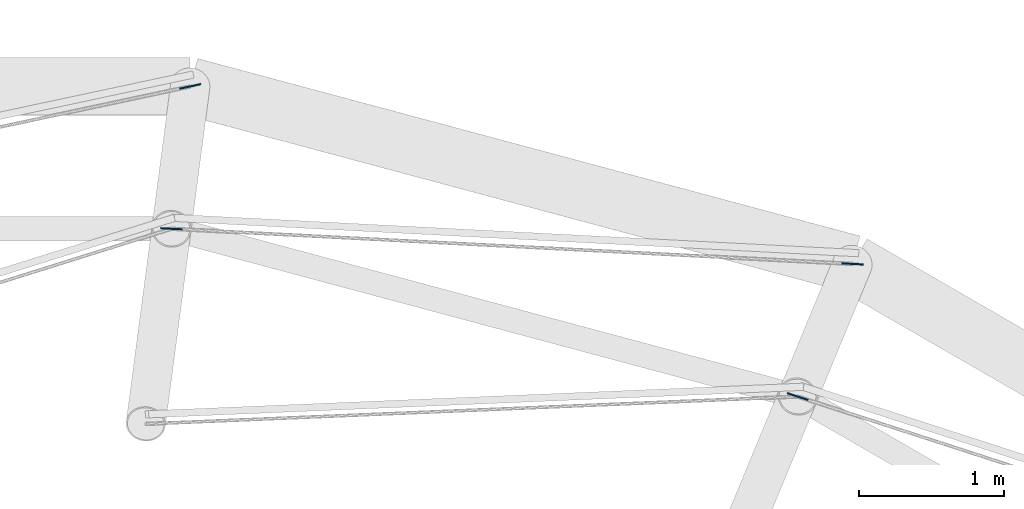
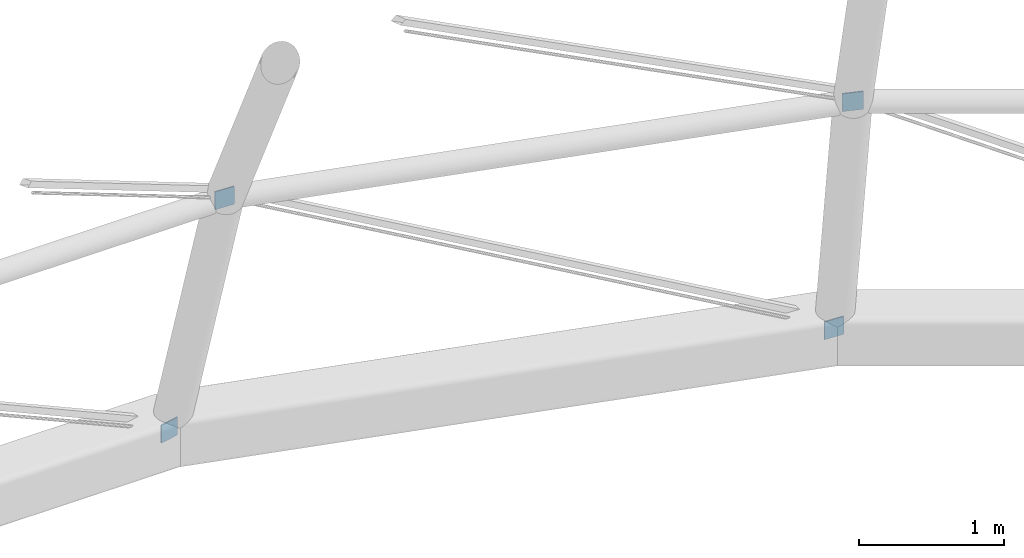
# One storey, part 39 of 59: 4 discrete accessories.
"""IFC4 building model written with IfcOpenShell, lengths in metres."""

from ifc_helpers import new_model, si_unit, direction, frame, origin, origin_2d, place, context, subcontext, project, spatial, rectangle, extrude, material, type_object, element, save


model = new_model("IFC4")

# Units and contexts
model_context = context("Model", 3, precision=1e-05, world=origin(), true_north=direction((0.0, 1.0)))
body_context = subcontext(model_context, "Body", "Model", "MODEL_VIEW")
ifc_project = project(units=[si_unit("LENGTHUNIT", "METRE"), si_unit("AREAUNIT", "SQUARE_METRE"), si_unit("VOLUMEUNIT", "CUBIC_METRE"), si_unit("PLANEANGLEUNIT", "RADIAN"), si_unit("MASSUNIT", "GRAM", prefix="KILO")], contexts=[model_context])

# Site, building, storey
site_placement = place(None, origin())
site = spatial("IfcSite", under=ifc_project, at=site_placement, CompositionType="ELEMENT")
building_placement = place(site_placement, origin())
building = spatial("IfcBuilding", under=site, at=building_placement, Name="Hortulan Conservatory and Botanical Research Centre", CompositionType="ELEMENT")
storey_placement = place(building_placement, frame((0.0, 0.0, 10.5)))
storey = spatial("IfcBuildingStorey", under=building, at=storey_placement, Name="L02", CompositionType="ELEMENT", Elevation=10.5)

# Discrete accessories
ifc_material = material(Name="Steel Grade 300 plate (AS/NZS 3678, 280 MPa minimum yield)", Category="steel")
discrete_accessory_type = type_object("IfcDiscreteAccessoryType", Name="End Plate 150x10", PredefinedType="BRACKET", material=ifc_material)
for number, where, z_axis, x_axis, name in (
    (1, (56.240234375, 35.01611328125, 2.51904296875), (0.0, 0.0, 1.0), (0.998671230905, -0.051534188286, 0.0), "Dome rod end plate"),
    (2, (56.36962890625, 36.0, -0.074951171875), (0.0, 0.0, 1.0), (0.977976720708, 0.208713999897, 0.0), "Dome rod end plate"),
    (3, (60.568115234375, 33.8564453125, 2.51904296875), (0.0, 0.0, 1.0), (0.951309684392, -0.308236734317, 0.0), "Dome rod end plate"),
    (4, (60.94775390625, 34.773193359375, -0.074951171875), (0.0, 0.0, 1.0), (0.998671230905, -0.051534188286, 0.0), "Dome rod end plate"),
):
    element("IfcDiscreteAccessory", number, at=place(storey_placement, frame(where, z_axis=z_axis, x_axis=x_axis)), inside=storey, type_object=discrete_accessory_type, Name=name, PredefinedType="BRACKET", context=body_context, shape_type="SweptSolid", body=[
        extrude(rectangle(XDim=0.14990234375, YDim=0.010009765625, at=origin_2d()), origin(), (0.0, 0.0, 1.0), 0.14990234375),
    ])

save(model, "model.ifc")
